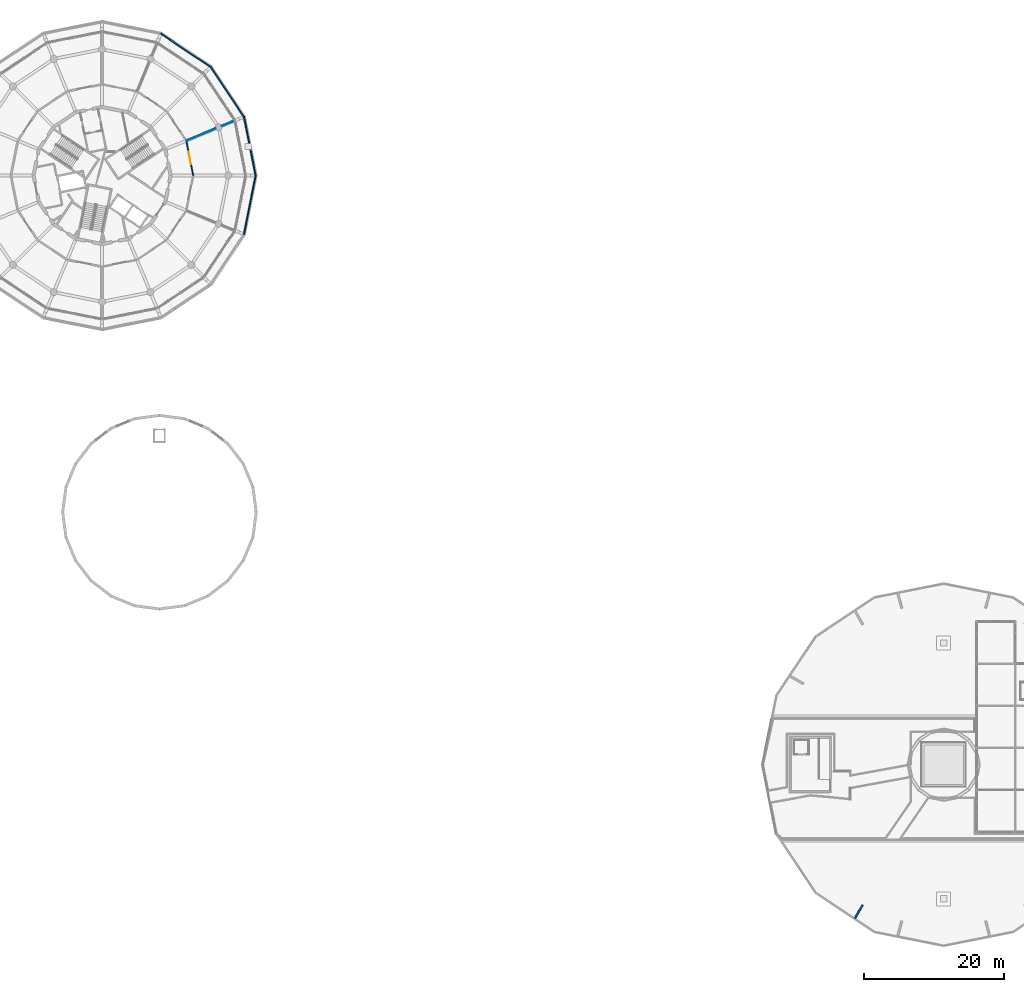
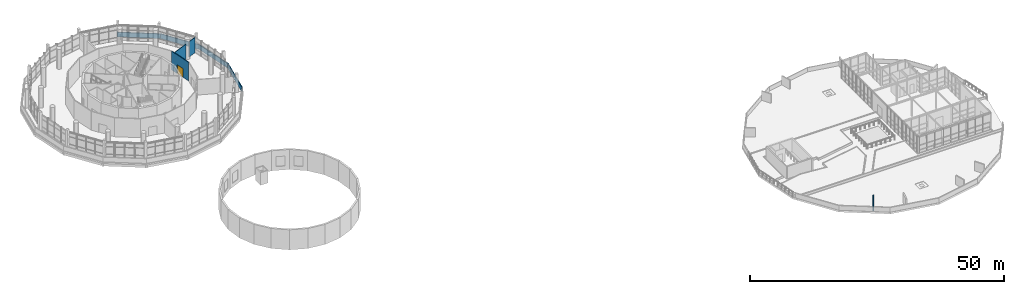
# One storey, part 29 of 40: 8 walls, 1 door, 1 opening.
"""IFC4 building model written with IfcOpenShell, lengths in metres."""

from ifc_helpers import new_model, si_unit, direction, frame, frame_2d, origin, place, context, subcontext, project, spatial, polyline, rectangle, outline, extrude, material, layer, layer_set, type_object, element, fill, save


model = new_model("IFC4")

# Units and contexts
model_context = context("Model", 3, precision=1e-05, world=origin(), true_north=direction((0.0, 1.0)))
body_context = subcontext(model_context, "Body", "Model", "MODEL_VIEW")
ifc_project = project(units=[si_unit("LENGTHUNIT", "METRE"), si_unit("AREAUNIT", "SQUARE_METRE"), si_unit("VOLUMEUNIT", "CUBIC_METRE"), si_unit("PLANEANGLEUNIT", "RADIAN"), si_unit("MASSUNIT", "GRAM", prefix="KILO")], contexts=[model_context])

# Site, building, storey
site_placement = place(None, origin())
site = spatial("IfcSite", under=ifc_project, at=site_placement, CompositionType="ELEMENT")
building_placement = place(site_placement, origin())
building = spatial("IfcBuilding", under=site, at=building_placement, Name="Ceibo Conservatory and Research Tower", CompositionType="ELEMENT")
storey_placement = place(building_placement, frame((0.0, 0.0, 6.0)))
storey = spatial("IfcBuildingStorey", under=building, at=storey_placement, Name="L01", CompositionType="ELEMENT", Elevation=6.0)

# Wall, opening, door
ifc_material_1 = material(Name="Plasterboard on metal studs, fire board")
ifc_layer_1 = layer(ifc_material_1, 0.14990234375)
ifc_layer_set_1 = layer_set([ifc_layer_1], Name="Plasterboard on metal studs, fire board")
wall_type_1 = type_object("IfcWallType", Name="Corridor wall 150 EI 60", PredefinedType="PARTITIONING", material=ifc_layer_set_1)
wall_1_placement = place(storey_placement, frame((60.010498046875, 124.974853515625, 0.0), z_axis=(0.0, 0.0, 1.0), x_axis=(0.195079334507, -0.980787465891, 0.0)))
wall_1 = element("IfcWall", 1, at=wall_1_placement, inside=storey, type_object=wall_type_1, Name="Partition 01.001", PredefinedType="PARTITIONING", context=body_context, shape_type="SweptSolid", body=[
    extrude(rectangle(XDim=5.072265625, YDim=0.14990234375, at=frame_2d((2.5361328125, 0.0))), origin(), (0.0, 0.0, 1.0), 4.5),
])
opening_placement = place(wall_1_placement, frame((1.63623046875, 0.0, 0.0)))
opening = element("IfcOpeningElement", 2, at=opening_placement, cuts=wall_1, Name="Opening T01-08", PredefinedType="OPENING", context=body_context, shape_type="SweptSolid", body=[
    extrude(rectangle(XDim=1.800048828125, YDim=2.10009765625, at=frame_2d((0.89990234375, 1.050048828125))), frame((0.0, 0.0849609375, 0.0), z_axis=(0.0, -1.0, 0.0), x_axis=(1.0, 0.0, 0.0)), (0.0, 0.0, 1.0), 0.169921875),
])
ifc_material_2 = material(Name="Galvanised sheet steel DX51D", Category="steel")
door_type = type_object("IfcDoorType", Name="Door fire double 1800x2100 EI 60", OperationType="DOUBLE_DOOR_SINGLE_SWING", PredefinedType="DOOR", material=ifc_material_2)
door_placement = place(opening_placement, origin())
door = element("IfcDoor", 3, at=door_placement, inside=storey, type_object=door_type, Name="Door T01-08", OperationType="DOUBLE_DOOR_SINGLE_SWING", OverallHeight=2.10009765625, OverallWidth=1.800048828125, PredefinedType="DOOR", context=body_context, shape_type="SweptSolid", body=[
    extrude(rectangle(XDim=1.800048828125, YDim=2.10009765625, at=frame_2d((0.89990234375, 1.050048828125))), frame((0.0, 0.02490234375, 0.0), z_axis=(0.0, -1.0, 0.0), x_axis=(1.0, 0.0, 0.0)), (0.0, 0.0, 1.0), 0.050048828125),
])
fill(opening, door)

# Walls
ifc_material_3 = material(Name="Ceramic mosaic tessera")
ifc_layer_2 = layer(ifc_material_3, 0.010009765625, Name="Ceramic mosaic")
ifc_material_4 = material(Name="Concrete C30/37", Category="concrete")
ifc_layer_3 = layer(ifc_material_4, 0.18994140625, Name="Reinforced concrete leaf")
ifc_layer_set_2 = layer_set([ifc_layer_2, ifc_layer_3], Name="Concrete C30/37")
wall_type_2 = type_object("IfcWallType", Name="Parapet wall 200", PredefinedType="PARAPET", material=ifc_layer_set_2)
for number, where, z_axis, x_axis, name in (
    (4, (69.89794921875, 120.0, 0.0), (0.0, 0.0, 1.0), (-0.19507198848, 0.980788926992, 0.0), "Parapet L01 1"),
    (5, (68.231201171875, 128.380126953125, 0.0), (0.0, 0.0, 1.0), (-0.555563710407, 0.831473970536, 0.0), "Parapet L01 2"),
    (6, (63.484375, 135.484375, 0.0), (0.0, 0.0, 1.0), (-0.831473970536, 0.555563710407, 0.0), "Parapet L01 3"),
    (7, (68.231201171875, 111.619873046875, 0.0), (0.0, 0.0, 1.0), (0.19507198848, 0.980788926992, 0.0), "Parapet L01 16"),
):
    element("IfcWall", number, at=place(storey_placement, frame(where, z_axis=z_axis, x_axis=x_axis)), inside=storey, type_object=wall_type_2, Name=name, PredefinedType="PARAPET", context=body_context, shape_type="SweptSolid", body=[
        extrude(outline(polyline([(-0.019775390625, -0.10009765625), (8.56396484375, -0.10009765625), (8.5244140625, 0.10009765625), (0.019775390625, 0.10009765625), (-0.019775390625, -0.10009765625)])), origin(), (0.0, 0.0, 1.0), 1.10009765625),
    ])
ifc_material_5 = material(Name="Plasterboard on metal studs")
ifc_layer_4 = layer(ifc_material_5, 0.10009765625)
ifc_layer_set_3 = layer_set([ifc_layer_4], Name="Plasterboard on metal studs")
wall_type_3 = type_object("IfcWallType", Name="Partition 100", PredefinedType="PARTITIONING", material=ifc_layer_set_3)
wall_2_placement = place(storey_placement, frame((60.076416015625, 125.002197265625, 0.0), z_axis=(0.0, 0.0, 1.0), x_axis=(0.923890134581, 0.382657835702, 0.0)))
element("IfcWall", 8, at=wall_2_placement, inside=storey, type_object=wall_type_3, Name="Partition 01.023", PredefinedType="PARTITIONING", context=body_context, shape_type="SweptSolid", body=[
    extrude(rectangle(XDim=4.438720703125, YDim=0.10009765625, at=frame_2d((2.21923828125, 0.0))), origin(), (0.0, 0.0, 1.0), 3.699951171875),
])
wall_3_placement = place(storey_placement, frame((65.08251953125, 127.075927734375, 0.0), z_axis=(0.0, 0.0, 1.0), x_axis=(0.923879381679, 0.382683796507, 0.0)))
element("IfcWall", 9, at=wall_3_placement, inside=storey, type_object=wall_type_3, Name="Partition 01.024", PredefinedType="PARTITIONING", context=body_context, shape_type="SweptSolid", body=[
    extrude(rectangle(XDim=1.9482421875, YDim=0.10009765625, at=frame_2d((0.97412109375, 0.0))), origin(), (0.0, 0.0, 1.0), 3.699951171875),
])
ifc_material_6 = material(Name="Concrete C35/45", Category="concrete")
ifc_layer_5 = layer(ifc_material_6, 0.25)
ifc_layer_set_4 = layer_set([ifc_layer_5], Name="Concrete C35/45")
wall_type_4 = type_object("IfcWallType", Name="Rim crown fin 250", PredefinedType="SOLIDWALL", material=ifc_layer_set_4)
wall_4_placement = place(storey_placement, frame((155.34765625, 14.085693359375, -0.050048828125), z_axis=(0.0, 0.0, 1.0), x_axis=(0.500077893725, 0.86598042715, 0.0)))
element("IfcWall", 10, at=wall_4_placement, inside=storey, type_object=wall_type_4, Name="Rim crown fin VC-CF07", PredefinedType="SOLIDWALL", context=body_context, shape_type="SweptSolid", body=[
    extrude(outline(polyline([(-0.00830078125, -0.125), (2.199951171875, -0.125), (2.199951171875, 0.125), (0.00830078125, 0.125), (-0.00830078125, -0.125)])), origin(), (0.0, 0.0, 1.0), 2.300048828125),
])

save(model, "model.ifc")
